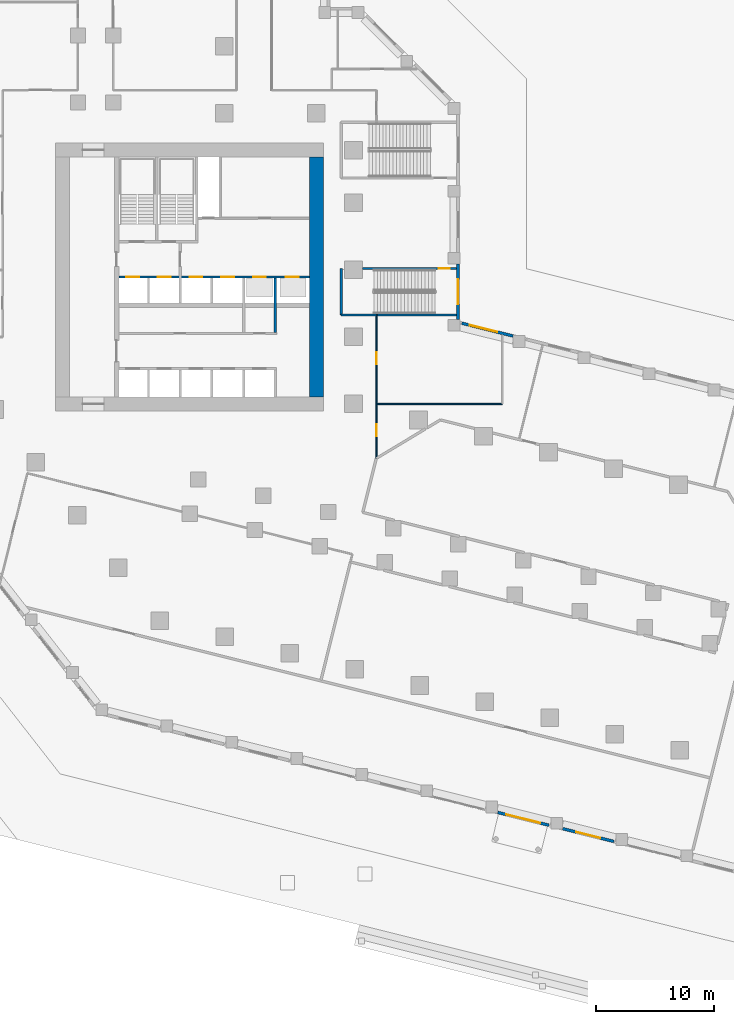
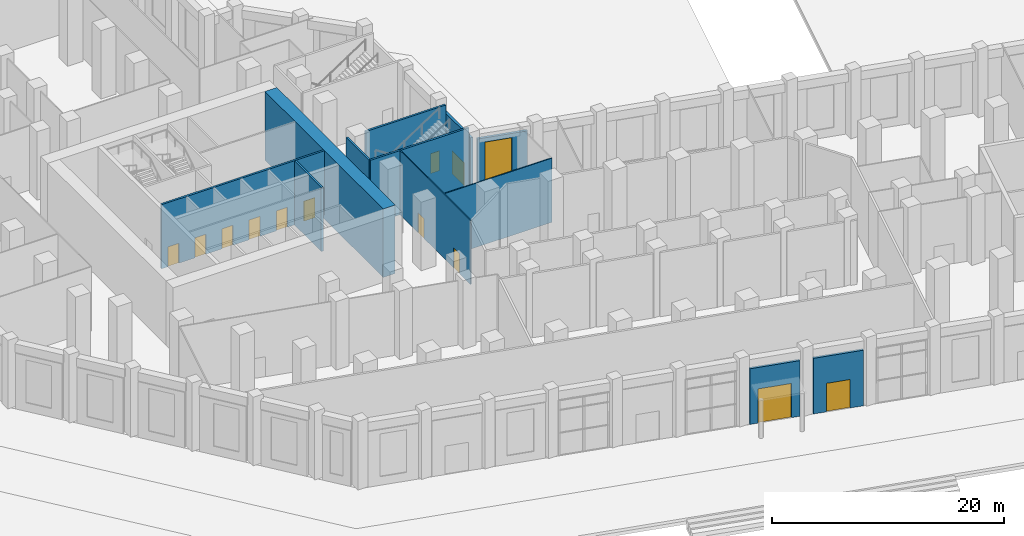
# One storey, part 13 of 27: 13 walls, 12 doors, 1 window, 13 openings.
"""IFC4 building model written with IfcOpenShell, lengths in metres."""

from ifc_helpers import new_model, si_unit, direction, frame, frame_2d, origin, place, context, subcontext, project, spatial, rectangle, extrude, material, layer, layer_set, type_object, element, fill, save


model = new_model("IFC4")

# Units and contexts
model_context = context("Model", 3, precision=1e-05, world=origin(), true_north=direction((0.0, 1.0)))
body_context = subcontext(model_context, "Body", "Model", "MODEL_VIEW")
ifc_project = project(units=[si_unit("LENGTHUNIT", "METRE"), si_unit("AREAUNIT", "SQUARE_METRE"), si_unit("VOLUMEUNIT", "CUBIC_METRE"), si_unit("PLANEANGLEUNIT", "RADIAN"), si_unit("MASSUNIT", "GRAM", prefix="KILO")], contexts=[model_context])

# Site, building, storey
site_placement = place(None, origin())
site = spatial("IfcSite", under=ifc_project, at=site_placement, CompositionType="ELEMENT")
building_placement = place(site_placement, origin())
building = spatial("IfcBuilding", under=site, at=building_placement, Name="Meshkara Civic Tower", CompositionType="ELEMENT")
storey_placement = place(building_placement, origin())
storey = spatial("IfcBuildingStorey", under=building, at=storey_placement, Name="L00", CompositionType="ELEMENT", Elevation=0.0)

# Wall
ifc_material_1 = material(Name="Concrete C80", Category="concrete")
ifc_layer_1 = layer(ifc_material_1, 1.199951171875)
ifc_layer_set_1 = layer_set([ifc_layer_1], Name="Core ring wall 1200 C80")
wall_type_1 = type_object("IfcWallType", Name="Core ring wall 1200 C80", PredefinedType="SHEAR", material=ifc_layer_set_1)
wall_1_placement = place(storey_placement, frame((30.199951171875, 15.300048828125, -0.449951171875), z_axis=(0.0, 0.0, 1.0), x_axis=(0.0, 1.0, 0.0)))
element("IfcWall", 1, at=wall_1_placement, inside=storey, type_object=wall_type_1, Name="L00-C004", PredefinedType="SHEAR", context=body_context, shape_type="SweptSolid", body=[
    extrude(rectangle(XDim=20.39990234375, YDim=1.199951171875, at=frame_2d((10.199951171875, 0.0))), origin(), (0.0, 0.0, 1.0), 7.199951171875),
])

# Wall, openings, doors
ifc_material_2 = material(Name="Corridor wall 100")
ifc_layer_2 = layer(ifc_material_2, 0.10009765625)
ifc_layer_set_2 = layer_set([ifc_layer_2], Name="Corridor wall 100")
wall_type_2 = type_object("IfcWallType", Name="Corridor wall 100", PredefinedType="PARTITIONING", material=ifc_layer_set_2)
wall_2_placement = place(storey_placement, frame((35.300048828125, 10.073974609375, 0.0), z_axis=(0.0, 0.0, 1.0), x_axis=(0.0, 1.0, 0.0)))
wall_2 = element("IfcWall", 2, at=wall_2_placement, inside=storey, type_object=wall_type_2, Name="L00-R046", PredefinedType="PARTITIONING", context=body_context, shape_type="SweptSolid", body=[
    extrude(rectangle(XDim=12.200927734375, YDim=0.10009765625, at=frame_2d((6.1005859375, 0.0))), origin(), (0.0, 0.0, 1.0), 6.75),
])
opening_1_placement = place(wall_2_placement, frame((1.8798828125, 0.0, 0.0)))
opening_1 = element("IfcOpeningElement", 3, at=opening_1_placement, cuts=wall_2, Name="Opening L00-P016", PredefinedType="OPENING", context=body_context, shape_type="SweptSolid", body=[
    extrude(rectangle(XDim=1.0, YDim=2.10009765625, at=frame_2d((0.5, 1.050048828125))), frame((0.0, 0.06005859375, 0.0), z_axis=(0.0, -1.0, 0.0), x_axis=(1.0, 0.0, 0.0)), (0.0, 0.0, 1.0), 0.1201171875),
])
opening_2_placement = place(wall_2_placement, frame((8.006103515625, 0.0, 0.0)))
opening_2 = element("IfcOpeningElement", 4, at=opening_2_placement, cuts=wall_2, Name="Opening L00-P018", PredefinedType="OPENING", context=body_context, shape_type="SweptSolid", body=[
    extrude(rectangle(XDim=1.0, YDim=2.10009765625, at=frame_2d((0.5, 1.050048828125))), frame((0.0, 0.06005859375, 0.0), z_axis=(0.0, -1.0, 0.0), x_axis=(1.0, 0.0, 0.0)), (0.0, 0.0, 1.0), 0.1201171875),
])
ifc_material_3 = material(Name="Door 1000 x 2100")
door_type_1 = type_object("IfcDoorType", Name="Door 1000 x 2100", OperationType="SINGLE_SWING_LEFT", PredefinedType="DOOR", material=ifc_material_3)
door_1_placement = place(opening_1_placement, origin())
door_1 = element("IfcDoor", 5, at=door_1_placement, inside=storey, type_object=door_type_1, Name="L00-P016", OperationType="SINGLE_SWING_LEFT", OverallHeight=2.10009765625, OverallWidth=1.0, PredefinedType="DOOR", context=body_context, shape_type="SweptSolid", body=[
    extrude(rectangle(XDim=1.0, YDim=2.10009765625, at=frame_2d((0.5, 1.050048828125))), frame((0.0, 0.02490234375, 0.0), z_axis=(0.0, -1.0, 0.0), x_axis=(1.0, 0.0, 0.0)), (0.0, 0.0, 1.0), 0.050048828125),
])
fill(opening_1, door_1)
door_2_placement = place(opening_2_placement, origin())
door_2 = element("IfcDoor", 6, at=door_2_placement, inside=storey, type_object=door_type_1, Name="L00-P018", OperationType="SINGLE_SWING_RIGHT", OverallHeight=2.10009765625, OverallWidth=1.0, PredefinedType="DOOR", context=body_context, shape_type="SweptSolid", body=[
    extrude(rectangle(XDim=1.0, YDim=2.10009765625, at=frame_2d((0.5, 1.050048828125))), frame((0.0, 0.02490234375, 0.0), z_axis=(0.0, -1.0, 0.0), x_axis=(1.0, 0.0, 0.0)), (0.0, 0.0, 1.0), 0.050048828125),
])
fill(opening_2, door_2)

# Wall, opening, door
ifc_material_4 = material(Name="Stone cladding on insulated backing wall", Category="masonry")
ifc_layer_3 = layer(ifc_material_4, 0.25)
ifc_layer_set_3 = layer_set([ifc_layer_3], Name="PODIUM BEARING STONE WALL 250")
wall_type_3 = type_object("IfcWallType", Name="PODIUM BEARING STONE WALL 250", PredefinedType="SOLIDWALL", material=ifc_layer_set_3)
wall_3_placement = place(storey_placement, frame((45.618896484375, -20.056884765625, 0.0), z_axis=(0.0, 0.0, 1.0), x_axis=(0.970279921141, -0.241985277715, 0.0)))
wall_3 = element("IfcWall", 7, at=wall_3_placement, inside=storey, type_object=wall_type_3, Name="Podium external wall", PredefinedType="SOLIDWALL", context=body_context, shape_type="SweptSolid", body=[
    extrude(rectangle(XDim=4.488525390625, YDim=0.25, at=frame_2d((2.244140625, 0.0))), origin(), (0.0, 0.0, 1.0), 5.85205078125),
])
opening_3_placement = place(wall_3_placement, frame((0.743896484375, 0.0, 0.0)))
opening_3 = element("IfcOpeningElement", 8, at=opening_3_placement, cuts=wall_3, Name="Opening L00-G011", PredefinedType="OPENING", context=body_context, shape_type="SweptSolid", body=[
    extrude(rectangle(XDim=3.0, YDim=3.60009765625, at=frame_2d((1.5, 1.800048828125))), frame((0.0, 0.135009765625, 0.0), z_axis=(0.0, -1.0, 0.0), x_axis=(1.0, 0.0, 0.0)), (0.0, 0.0, 1.0), 0.27001953125),
])
ifc_material_5 = material(Name="Bronze anodised aluminium", Category="aluminium")
door_type_2 = type_object("IfcDoorType", Name="ENTRANCE DOOR 3000x3600", OperationType="DOUBLE_DOOR_DOUBLE_SWING", PredefinedType="DOOR", material=ifc_material_5)
door_3_placement = place(opening_3_placement, origin())
door_3 = element("IfcDoor", 9, at=door_3_placement, inside=storey, type_object=door_type_2, Name="L00-G011", OperationType="DOUBLE_DOOR_DOUBLE_SWING", OverallHeight=3.60009765625, OverallWidth=3.0, PredefinedType="DOOR", context=body_context, shape_type="SweptSolid", body=[
    extrude(rectangle(XDim=3.0, YDim=3.60009765625, at=frame_2d((1.5, 1.800048828125))), frame((0.0, 0.02490234375, 0.0), z_axis=(0.0, -1.0, 0.0), x_axis=(1.0, 0.0, 0.0)), (0.0, 0.0, 1.0), 0.050048828125),
])
fill(opening_3, door_3)

ifc_material_6 = material(Name="Stone cladding on insulated backing wall", Category="masonry")
ifc_layer_4 = layer(ifc_material_6, 0.25)
ifc_layer_set_4 = layer_set([ifc_layer_4], Name="PODIUM STONE WALL 250")
wall_type_4 = type_object("IfcWallType", Name="PODIUM STONE WALL 250", PredefinedType="SOLIDWALL", material=ifc_layer_set_4)
wall_4_placement = place(storey_placement, frame((51.14990234375, -21.43603515625, 0.0), z_axis=(0.0, 0.0, 1.0), x_axis=(0.970289506684, -0.241946839653, 0.0)))
wall_4 = element("IfcWall", 10, at=wall_4_placement, inside=storey, type_object=wall_type_4, Name="Podium external wall", PredefinedType="SOLIDWALL", context=body_context, shape_type="SweptSolid", body=[
    extrude(rectangle(XDim=4.48828125, YDim=0.25, at=frame_2d((2.244140625, 0.0))), origin(), (0.0, 0.0, 1.0), 5.85009765625),
])
opening_4_placement = place(wall_4_placement, frame((1.194091796875, 0.0, 0.0)))
opening_4 = element("IfcOpeningElement", 11, at=opening_4_placement, cuts=wall_4, Name="Opening L00-G012", PredefinedType="OPENING", context=body_context, shape_type="SweptSolid", body=[
    extrude(rectangle(XDim=2.10009765625, YDim=3.0, at=frame_2d((1.050048828125, 1.5))), frame((0.0, 0.135009765625, 0.0), z_axis=(0.0, -1.0, 0.0), x_axis=(1.0, 0.0, 0.0)), (0.0, 0.0, 1.0), 0.27001953125),
])
ifc_material_7 = material(Name="Bronze anodised aluminium", Category="aluminium")
door_type_3 = type_object("IfcDoorType", Name="HALL EXIT DOOR 2100x3000", OperationType="DOUBLE_DOOR_DOUBLE_SWING", PredefinedType="DOOR", material=ifc_material_7)
door_4_placement = place(opening_4_placement, origin())
door_4 = element("IfcDoor", 12, at=door_4_placement, inside=storey, type_object=door_type_3, Name="L00-G012", OperationType="DOUBLE_DOOR_DOUBLE_SWING", OverallHeight=3.0, OverallWidth=2.10009765625, PredefinedType="DOOR", context=body_context, shape_type="SweptSolid", body=[
    extrude(rectangle(XDim=2.10009765625, YDim=3.0, at=frame_2d((1.050048828125, 1.5))), frame((0.0, 0.02490234375, 0.0), z_axis=(0.0, -1.0, 0.0), x_axis=(1.0, 0.0, 0.0)), (0.0, 0.0, 1.0), 0.050048828125),
])
fill(opening_4, door_4)

# Wall, opening, window
wall_5_placement = place(storey_placement, frame((46.922119140625, 20.48193359375, 0.0), z_axis=(0.0, 0.0, 1.0), x_axis=(-0.970279921141, 0.241985277715, 0.0)))
wall_5 = element("IfcWall", 13, at=wall_5_placement, inside=storey, type_object=wall_type_4, Name="Podium external wall", PredefinedType="SOLIDWALL", context=body_context, shape_type="SweptSolid", body=[
    extrude(rectangle(XDim=4.488525390625, YDim=0.25, at=frame_2d((2.244140625, 0.0))), origin(), (0.0, 0.0, 1.0), 5.85009765625),
])
opening_5_placement = place(wall_5_placement, frame((1.39697265625, 0.0, 0.89990234375)))
opening_5 = element("IfcOpeningElement", 14, at=opening_5_placement, cuts=wall_5, Name="Opening PW1", PredefinedType="OPENING", context=body_context, shape_type="SweptSolid", body=[
    extrude(rectangle(XDim=2.39990234375, YDim=4.5, at=frame_2d((1.199951171875, 2.25))), frame((0.0, 0.135009765625, 0.0), z_axis=(0.0, -1.0, 0.0), x_axis=(1.0, 0.0, 0.0)), (0.0, 0.0, 1.0), 0.27001953125),
])
ifc_material_8 = material(Name="Tinted double glazing", Category="glass")
window_type = type_object("IfcWindowType", Name="PODIUM WINDOW 2400x4500", PartitioningType="DOUBLE_PANEL_VERTICAL", PredefinedType="WINDOW", material=ifc_material_8)
window_placement = place(opening_5_placement, origin())
window = element("IfcWindow", 15, at=window_placement, inside=storey, type_object=window_type, Name="Podium window", OverallHeight=4.5, OverallWidth=2.39990234375, PartitioningType="DOUBLE_PANEL_VERTICAL", PredefinedType="WINDOW", context=body_context, shape_type="SweptSolid", body=[
    extrude(rectangle(XDim=2.39990234375, YDim=4.5, at=frame_2d((1.199951171875, 2.25))), frame((0.0, 0.030029296875, 0.0), z_axis=(0.0, -1.0, 0.0), x_axis=(1.0, 0.0, 0.0)), (0.0, 0.0, 1.0), 0.06005859375),
])
fill(opening_5, window)

# Wall, opening, door
wall_6_placement = place(storey_placement, frame((42.22509765625, 21.89892578125, 0.0), z_axis=(0.0, 0.0, 1.0), x_axis=(0.0, 1.0, 0.0)))
wall_6 = element("IfcWall", 16, at=wall_6_placement, inside=storey, type_object=wall_type_4, Name="Podium external wall", PredefinedType="SOLIDWALL", context=body_context, shape_type="SweptSolid", body=[
    extrude(rectangle(XDim=4.7001953125, YDim=0.25, at=frame_2d((2.35009765625, 0.0))), origin(), (0.0, 0.0, 1.0), 5.85009765625),
])
opening_6_placement = place(wall_6_placement, frame((1.300048828125, 0.0, 0.0)))
opening_6 = element("IfcOpeningElement", 17, at=opening_6_placement, cuts=wall_6, Name="Opening L00-G018", PredefinedType="OPENING", context=body_context, shape_type="SweptSolid", body=[
    extrude(rectangle(XDim=2.10009765625, YDim=2.39990234375, at=frame_2d((1.050048828125, 1.199951171875))), frame((0.0, 0.135009765625, 0.0), z_axis=(0.0, -1.0, 0.0), x_axis=(1.0, 0.0, 0.0)), (0.0, 0.0, 1.0), 0.27001953125),
])
ifc_material_9 = material(Name="Steel S355", Category="steel")
door_type_4 = type_object("IfcDoorType", Name="EXIT DOOR PAIR 2100x2400", OperationType="DOUBLE_DOOR_DOUBLE_SWING", PredefinedType="DOOR", material=ifc_material_9)
door_5_placement = place(opening_6_placement, origin())
door_5 = element("IfcDoor", 18, at=door_5_placement, inside=storey, type_object=door_type_4, Name="L00-G018", OperationType="DOUBLE_DOOR_DOUBLE_SWING", OverallHeight=2.39990234375, OverallWidth=2.10009765625, PredefinedType="DOOR", context=body_context, shape_type="SweptSolid", body=[
    extrude(rectangle(XDim=2.10009765625, YDim=2.39990234375, at=frame_2d((1.050048828125, 1.199951171875))), frame((0.0, 0.02490234375, 0.0), z_axis=(0.0, -1.0, 0.0), x_axis=(1.0, 0.0, 0.0)), (0.0, 0.0, 1.0), 0.050048828125),
])
fill(opening_6, door_5)

# Wall
ifc_material_10 = material(Name="Partition 100")
ifc_layer_5 = layer(ifc_material_10, 0.10009765625)
ifc_layer_set_5 = layer_set([ifc_layer_5], Name="Partition 100")
wall_type_5 = type_object("IfcWallType", Name="Partition 100", PredefinedType="PARTITIONING", material=ifc_layer_set_5)
wall_7_placement = place(storey_placement, frame((35.35009765625, 14.699951171875, 0.0), z_axis=(0.0, 0.0, 1.0), x_axis=(1.0, 0.0, 0.0)))
element("IfcWall", 19, at=wall_7_placement, inside=storey, type_object=wall_type_5, Name="L00-R102", PredefinedType="PARTITIONING", context=body_context, shape_type="SweptSolid", body=[
    extrude(rectangle(XDim=10.64990234375, YDim=0.10009765625, at=frame_2d((5.324951171875, 0.0))), origin(), (0.0, 0.0, 1.0), 6.75),
])

# Wall, openings, doors
ifc_material_11 = material(Name="Concrete C40/50", Category="concrete")
ifc_layer_6 = layer(ifc_material_11, 0.199951171875)
ifc_layer_set_6 = layer_set([ifc_layer_6], Name="Shaft wall 200 C40/50")
wall_type_6 = type_object("IfcWallType", Name="Shaft wall 200 C40/50", PredefinedType="SOLIDWALL", material=ifc_layer_set_6)
wall_8_placement = place(storey_placement, frame((13.39990234375, 25.5, 0.0), z_axis=(0.0, 0.0, 1.0), x_axis=(1.0, 0.0, 0.0)))
wall_8 = element("IfcWall", 20, at=wall_8_placement, inside=storey, type_object=wall_type_6, Name="L00-C008", PredefinedType="SOLIDWALL", context=body_context, shape_type="SweptSolid", body=[
    extrude(rectangle(XDim=16.2001953125, YDim=0.199951171875, at=frame_2d((8.10009765625, 0.0))), origin(), (0.0, 0.0, 1.0), 6.75),
])
opening_7_placement = place(wall_8_placement, frame((0.60009765625, 0.0, 0.0)))
opening_7 = element("IfcOpeningElement", 21, at=opening_7_placement, cuts=wall_8, Name="Opening L00-K006", PredefinedType="OPENING", context=body_context, shape_type="SweptSolid", body=[
    extrude(rectangle(XDim=1.10009765625, YDim=2.10009765625, at=frame_2d((0.550048828125, 1.050048828125))), frame((0.0, 0.10986328125, 0.0), z_axis=(0.0, -1.0, 0.0), x_axis=(1.0, 0.0, 0.0)), (0.0, 0.0, 1.0), 0.219970703125),
])
opening_8_placement = place(wall_8_placement, frame((3.300048828125, 0.0, 0.0)))
opening_8 = element("IfcOpeningElement", 22, at=opening_8_placement, cuts=wall_8, Name="Opening L00-K007", PredefinedType="OPENING", context=body_context, shape_type="SweptSolid", body=[
    extrude(rectangle(XDim=1.10009765625, YDim=2.10009765625, at=frame_2d((0.550048828125, 1.050048828125))), frame((0.0, 0.10986328125, 0.0), z_axis=(0.0, -1.0, 0.0), x_axis=(1.0, 0.0, 0.0)), (0.0, 0.0, 1.0), 0.219970703125),
])
opening_9_placement = place(wall_8_placement, frame((6.0, 0.0, 0.0)))
opening_9 = element("IfcOpeningElement", 23, at=opening_9_placement, cuts=wall_8, Name="Opening L00-K008", PredefinedType="OPENING", context=body_context, shape_type="SweptSolid", body=[
    extrude(rectangle(XDim=1.10009765625, YDim=2.10009765625, at=frame_2d((0.550048828125, 1.050048828125))), frame((0.0, 0.10986328125, 0.0), z_axis=(0.0, -1.0, 0.0), x_axis=(1.0, 0.0, 0.0)), (0.0, 0.0, 1.0), 0.219970703125),
])
opening_10_placement = place(wall_8_placement, frame((8.699951171875, 0.0, 0.0)))
opening_10 = element("IfcOpeningElement", 24, at=opening_10_placement, cuts=wall_8, Name="Opening L00-K009", PredefinedType="OPENING", context=body_context, shape_type="SweptSolid", body=[
    extrude(rectangle(XDim=1.10009765625, YDim=2.10009765625, at=frame_2d((0.550048828125, 1.050048828125))), frame((0.0, 0.10986328125, 0.0), z_axis=(0.0, -1.0, 0.0), x_axis=(1.0, 0.0, 0.0)), (0.0, 0.0, 1.0), 0.219970703125),
])
opening_11_placement = place(wall_8_placement, frame((11.39990234375, 0.0, 0.0)))
opening_11 = element("IfcOpeningElement", 25, at=opening_11_placement, cuts=wall_8, Name="Opening L00-K010", PredefinedType="OPENING", context=body_context, shape_type="SweptSolid", body=[
    extrude(rectangle(XDim=1.10009765625, YDim=2.10009765625, at=frame_2d((0.550048828125, 1.050048828125))), frame((0.0, 0.10986328125, 0.0), z_axis=(0.0, -1.0, 0.0), x_axis=(1.0, 0.0, 0.0)), (0.0, 0.0, 1.0), 0.219970703125),
])
opening_12_placement = place(wall_8_placement, frame((14.199951171875, 0.0, 0.0)))
opening_12 = element("IfcOpeningElement", 26, at=opening_12_placement, cuts=wall_8, Name="Opening L00-K011", PredefinedType="OPENING", context=body_context, shape_type="SweptSolid", body=[
    extrude(rectangle(XDim=1.10009765625, YDim=2.10009765625, at=frame_2d((0.550048828125, 1.050048828125))), frame((0.0, 0.10986328125, 0.0), z_axis=(0.0, -1.0, 0.0), x_axis=(1.0, 0.0, 0.0)), (0.0, 0.0, 1.0), 0.219970703125),
])
ifc_material_12 = material(Name="Stainless steel landing door", Category="steel")
door_type_5 = type_object("IfcDoorType", Name="Lift landing door 1100", OperationType="SLIDING_TO_LEFT", PredefinedType="DOOR", material=ifc_material_12)
door_6_placement = place(opening_7_placement, origin())
door_6 = element("IfcDoor", 27, at=door_6_placement, inside=storey, type_object=door_type_5, Name="L00-K006", OperationType="SLIDING_TO_LEFT", OverallHeight=2.10009765625, OverallWidth=1.10009765625, PredefinedType="DOOR", context=body_context, shape_type="SweptSolid", body=[
    extrude(rectangle(XDim=1.10009765625, YDim=2.10009765625, at=frame_2d((0.550048828125, 1.050048828125))), frame((0.0, 0.02490234375, 0.0), z_axis=(0.0, -1.0, 0.0), x_axis=(1.0, 0.0, 0.0)), (0.0, 0.0, 1.0), 0.050048828125),
])
fill(opening_7, door_6)
door_7_placement = place(opening_8_placement, origin())
door_7 = element("IfcDoor", 28, at=door_7_placement, inside=storey, type_object=door_type_5, Name="L00-K007", OperationType="SLIDING_TO_LEFT", OverallHeight=2.10009765625, OverallWidth=1.10009765625, PredefinedType="DOOR", context=body_context, shape_type="SweptSolid", body=[
    extrude(rectangle(XDim=1.10009765625, YDim=2.10009765625, at=frame_2d((0.550048828125, 1.050048828125))), frame((0.0, 0.02490234375, 0.0), z_axis=(0.0, -1.0, 0.0), x_axis=(1.0, 0.0, 0.0)), (0.0, 0.0, 1.0), 0.050048828125),
])
fill(opening_8, door_7)
door_8_placement = place(opening_9_placement, origin())
door_8 = element("IfcDoor", 29, at=door_8_placement, inside=storey, type_object=door_type_5, Name="L00-K008", OperationType="SLIDING_TO_LEFT", OverallHeight=2.10009765625, OverallWidth=1.10009765625, PredefinedType="DOOR", context=body_context, shape_type="SweptSolid", body=[
    extrude(rectangle(XDim=1.10009765625, YDim=2.10009765625, at=frame_2d((0.550048828125, 1.050048828125))), frame((0.0, 0.02490234375, 0.0), z_axis=(0.0, -1.0, 0.0), x_axis=(1.0, 0.0, 0.0)), (0.0, 0.0, 1.0), 0.050048828125),
])
fill(opening_9, door_8)
door_9_placement = place(opening_10_placement, origin())
door_9 = element("IfcDoor", 30, at=door_9_placement, inside=storey, type_object=door_type_5, Name="L00-K009", OperationType="SLIDING_TO_LEFT", OverallHeight=2.10009765625, OverallWidth=1.10009765625, PredefinedType="DOOR", context=body_context, shape_type="SweptSolid", body=[
    extrude(rectangle(XDim=1.10009765625, YDim=2.10009765625, at=frame_2d((0.550048828125, 1.050048828125))), frame((0.0, 0.02490234375, 0.0), z_axis=(0.0, -1.0, 0.0), x_axis=(1.0, 0.0, 0.0)), (0.0, 0.0, 1.0), 0.050048828125),
])
fill(opening_10, door_9)
door_10_placement = place(opening_11_placement, origin())
door_10 = element("IfcDoor", 31, at=door_10_placement, inside=storey, type_object=door_type_5, Name="L00-K010", OperationType="SLIDING_TO_LEFT", OverallHeight=2.10009765625, OverallWidth=1.10009765625, PredefinedType="DOOR", context=body_context, shape_type="SweptSolid", body=[
    extrude(rectangle(XDim=1.10009765625, YDim=2.10009765625, at=frame_2d((0.550048828125, 1.050048828125))), frame((0.0, 0.02490234375, 0.0), z_axis=(0.0, -1.0, 0.0), x_axis=(1.0, 0.0, 0.0)), (0.0, 0.0, 1.0), 0.050048828125),
])
fill(opening_11, door_10)
door_11_placement = place(opening_12_placement, origin())
door_11 = element("IfcDoor", 32, at=door_11_placement, inside=storey, type_object=door_type_5, Name="L00-K011", OperationType="SLIDING_TO_LEFT", OverallHeight=2.10009765625, OverallWidth=1.10009765625, PredefinedType="DOOR", context=body_context, shape_type="SweptSolid", body=[
    extrude(rectangle(XDim=1.10009765625, YDim=2.10009765625, at=frame_2d((0.550048828125, 1.050048828125))), frame((0.0, 0.02490234375, 0.0), z_axis=(0.0, -1.0, 0.0), x_axis=(1.0, 0.0, 0.0)), (0.0, 0.0, 1.0), 0.050048828125),
])
fill(opening_12, door_11)

# Walls
wall_9_placement = place(storey_placement, frame((26.699951171875, 20.77490234375, 0.0), z_axis=(0.0, 0.0, 1.0), x_axis=(0.0, 1.0, 0.0)))
element("IfcWall", 33, at=wall_9_placement, inside=storey, type_object=wall_type_6, Name="L00-C024", PredefinedType="SOLIDWALL", context=body_context, shape_type="SweptSolid", body=[
    extrude(rectangle(XDim=4.625, YDim=0.199951171875, at=frame_2d((2.3125, 0.0))), origin(), (0.0, 0.0, 1.0), 6.75),
])
ifc_material_13 = material(Name="Concrete C40/50", Category="concrete")
ifc_layer_7 = layer(ifc_material_13, 0.199951171875)
ifc_layer_set_7 = layer_set([ifc_layer_7], Name="Stair enclosure wall 200 C40/50")
wall_type_7 = type_object("IfcWallType", Name="Stair enclosure wall 200 C40/50", PredefinedType="SOLIDWALL", material=ifc_layer_set_7)
wall_10_placement = place(storey_placement, frame((32.300048828125, 22.27490234375, 0.0), z_axis=(0.0, 0.0, 1.0), x_axis=(0.0, 1.0, 0.0)))
element("IfcWall", 34, at=wall_10_placement, inside=storey, type_object=wall_type_7, Name="L00-R039", PredefinedType="SOLIDWALL", context=body_context, shape_type="SweptSolid", body=[
    extrude(rectangle(XDim=3.9501953125, YDim=0.199951171875, at=frame_2d((1.97509765625, 0.0))), origin(), (0.0, 0.0, 1.0), 6.75),
])

# Wall, opening, door
wall_11_placement = place(storey_placement, frame((34.1201171875, 26.22509765625, 0.0), z_axis=(0.0, 0.0, 1.0), x_axis=(1.0, 0.0, 0.0)))
wall_11 = element("IfcWall", 35, at=wall_11_placement, inside=storey, type_object=wall_type_7, Name="L00-R044", PredefinedType="SOLIDWALL", context=body_context, shape_type="SweptSolid", body=[
    extrude(rectangle(XDim=7.97998046875, YDim=0.199951171875, at=frame_2d((3.989990234375, 0.0))), origin(), (0.0, 0.0, 1.0), 6.75),
])
opening_13_placement = place(wall_11_placement, frame((6.5, 0.0, 0.0)))
opening_13 = element("IfcOpeningElement", 36, at=opening_13_placement, cuts=wall_11, Name="Opening L00-P019", PredefinedType="OPENING", context=body_context, shape_type="SweptSolid", body=[
    extrude(rectangle(XDim=0.89990234375, YDim=2.10009765625, at=frame_2d((0.449951171875, 1.050048828125))), frame((0.0, 0.10986328125, 0.0), z_axis=(0.0, -1.0, 0.0), x_axis=(1.0, 0.0, 0.0)), (0.0, 0.0, 1.0), 0.219970703125),
])
door_12_placement = place(opening_13_placement, origin())
door_12 = element("IfcDoor", 37, at=door_12_placement, inside=storey, type_object=door_type_1, Name="L00-P019", OperationType="SINGLE_SWING_LEFT", OverallHeight=2.10009765625, OverallWidth=0.89990234375, PredefinedType="DOOR", context=body_context, shape_type="SweptSolid", body=[
    extrude(rectangle(XDim=0.89990234375, YDim=2.10009765625, at=frame_2d((0.449951171875, 1.050048828125))), frame((0.0, 0.02490234375, 0.0), z_axis=(0.0, -1.0, 0.0), x_axis=(1.0, 0.0, 0.0)), (0.0, 0.0, 1.0), 0.050048828125),
])
fill(opening_13, door_12)

# Walls
wall_12_placement = place(storey_placement, frame((35.300048828125, 22.27490234375, 0.0), z_axis=(0.0, 0.0, 1.0), x_axis=(-1.0, 0.0, 0.0)))
element("IfcWall", 38, at=wall_12_placement, inside=storey, type_object=wall_type_7, Name="L00-R047", PredefinedType="SOLIDWALL", context=body_context, shape_type="SweptSolid", body=[
    extrude(rectangle(XDim=3.0, YDim=0.199951171875, at=frame_2d((1.5, 0.0))), origin(), (0.0, 0.0, 1.0), 6.75),
])
wall_13_placement = place(storey_placement, frame((35.300048828125, 22.27490234375, 0.0), z_axis=(0.0, 0.0, 1.0), x_axis=(1.0, 0.0, 0.0)))
element("IfcWall", 39, at=wall_13_placement, inside=storey, type_object=wall_type_7, Name="L00-R101", PredefinedType="SOLIDWALL", context=body_context, shape_type="SweptSolid", body=[
    extrude(rectangle(XDim=6.800048828125, YDim=0.199951171875, at=frame_2d((3.39990234375, 0.0))), origin(), (0.0, 0.0, 1.0), 6.75),
])

save(model, "model.ifc")
